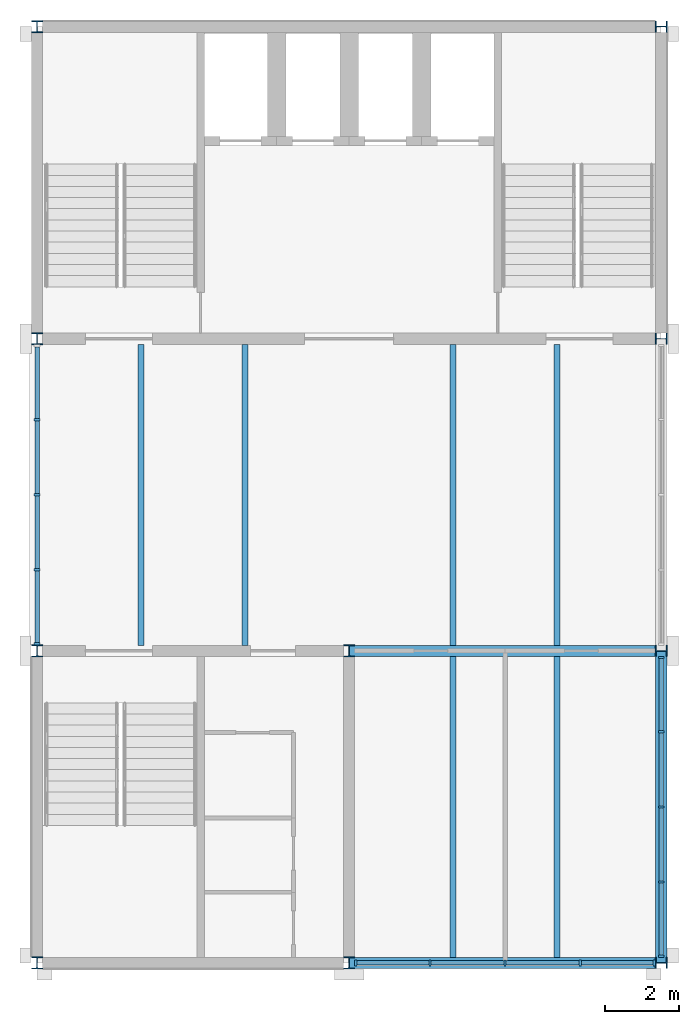
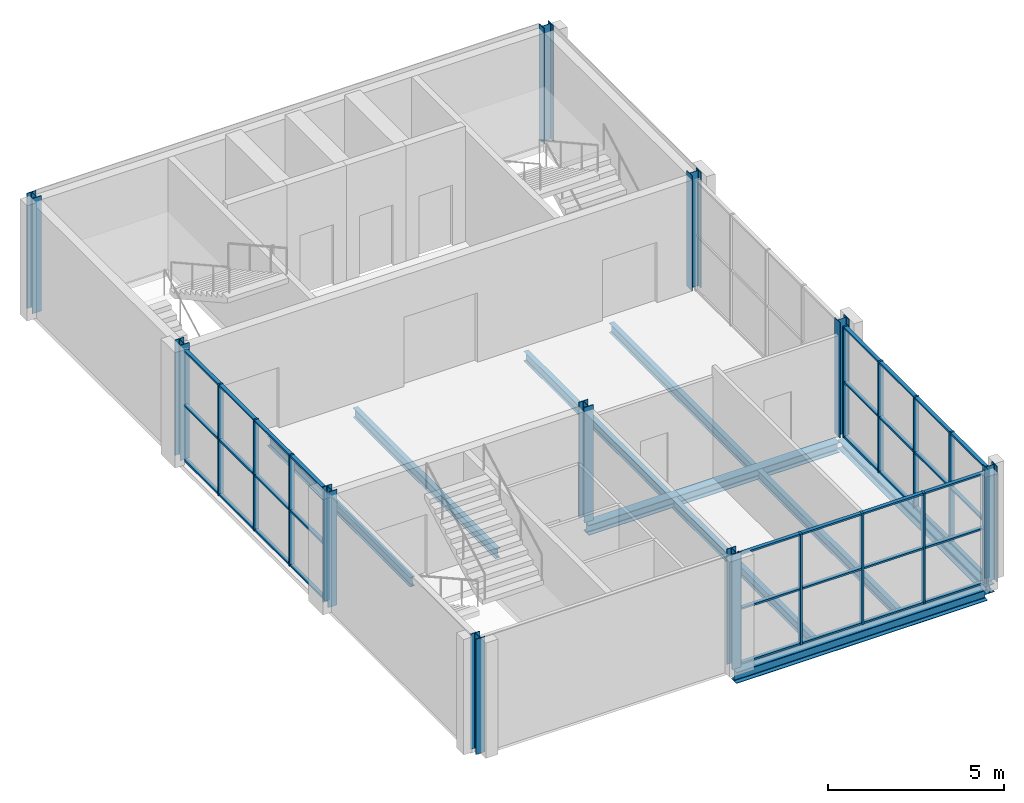
# One storey, part 1 of 5: 50 members, 10 columns, 9 beams, 3 elements without a shape of their own.
"""IFC4 building model written with IfcOpenShell, lengths in metres."""

from ifc_helpers import new_model, si_unit, direction, frame, origin, origin_2d, place, context, subcontext, project, spatial, rectangle, i_section, extrude, material, layer, layer_set, material_profile, profile_set, type_object, element, aggregate, save


model = new_model("IFC4")

# Units and contexts
model_context = context("Model", 3, precision=1e-05, world=origin(), true_north=direction((0.0, 1.0)))
body_context = subcontext(model_context, "Body", "Model", "MODEL_VIEW")
ifc_project = project(units=[si_unit("LENGTHUNIT", "METRE"), si_unit("AREAUNIT", "SQUARE_METRE"), si_unit("VOLUMEUNIT", "CUBIC_METRE"), si_unit("PLANEANGLEUNIT", "RADIAN"), si_unit("MASSUNIT", "GRAM", prefix="KILO")], contexts=[model_context])

# Site, building, storey
site_placement = place(None, origin())
site = spatial("IfcSite", under=ifc_project, at=site_placement, CompositionType="ELEMENT")
building_placement = place(site_placement, origin())
building = spatial("IfcBuilding", under=site, at=building_placement, Name="Galleria Vessillo Department Store", CompositionType="ELEMENT")
storey_placement = place(building_placement, frame((0.0, 0.0, 63.60009765625)))
storey = spatial("IfcBuildingStorey", under=building, at=storey_placement, Name="L14", CompositionType="ELEMENT", Elevation=63.60009765625)

# Columns
ifc_material_1 = material(Name="Steel S355 J2", Category="steel")
ifc_material_profile_1 = material_profile(ifc_material_1, i_section(OverallWidth=0.300048828125, OverallDepth=0.320068359375, WebThickness=0.011474609375, FlangeThickness=0.0205078125, FilletRadius=0.027099609375, at=origin_2d()), Name="HEB 320")
ifc_profile_set_1 = profile_set([ifc_material_profile_1], Name="Steel S355 J2")
column_type = type_object("IfcColumnType", Name="Steel column HEB 320 CT5", PredefinedType="COLUMN", material=ifc_profile_set_1)
for number, where, z_axis, x_axis, name in (
    (1, (100.800048828125, 37.800048828125, 0.0), (0.0, 0.0, 1.0), (1.0, 0.0, 0.0), "S-COL-L14-13-E"),
    (2, (100.800048828125, 46.199951171875, 0.0), (0.0, 0.0, 1.0), (1.0, 0.0, 0.0), "S-COL-L14-13-F"),
    (3, (100.800048828125, 54.60009765625, 0.0), (0.0, 0.0, 1.0), (1.0, 0.0, 0.0), "S-COL-L14-13-G"),
    (4, (100.800048828125, 63.0, 0.0), (0.0, 0.0, 1.0), (1.0, 0.0, 0.0), "S-COL-L14-13-H"),
    (5, (109.199951171875, 37.800048828125, 0.0), (0.0, 0.0, 1.0), (1.0, 0.0, 0.0), "S-COL-L14-14-E"),
    (6, (109.199951171875, 46.199951171875, 0.0), (0.0, 0.0, 1.0), (1.0, 0.0, 0.0), "S-COL-L14-14-F"),
    (7, (117.60009765625, 37.800048828125, 0.0), (0.0, 0.0, 1.0), (0.0, 1.0, 0.0), "S-COL-L14-15-E"),
    (8, (117.60009765625, 46.199951171875, 0.0), (0.0, 0.0, 1.0), (0.0, 1.0, 0.0), "S-COL-L14-15-F"),
    (9, (117.60009765625, 54.60009765625, 0.0), (0.0, 0.0, 1.0), (0.0, 1.0, 0.0), "S-COL-L14-15-G"),
    (10, (117.60009765625, 63.0, 0.0), (0.0, 0.0, 1.0), (0.0, 1.0, 0.0), "S-COL-L14-15-H"),
):
    element("IfcColumn", number, at=place(storey_placement, frame(where, z_axis=z_axis, x_axis=x_axis)), inside=storey, type_object=column_type, Name=name, PredefinedType="COLUMN", context=body_context, shape_type="SweptSolid", body=[
        extrude(i_section(OverallWidth=0.300048828125, OverallDepth=0.320068359375, WebThickness=0.011474609375, FlangeThickness=0.0205078125, FilletRadius=0.027099609375, at=origin_2d()), origin(), (0.0, 0.0, 1.0), 4.0),
    ])

# Curtain wall, members
ifc_material_2 = material(Name="Aluminium and glass curtain wall", Category="aluminium")
ifc_layer = layer(ifc_material_2, 0.159912109375)
ifc_layer_set = layer_set([ifc_layer], Name="Aluminium and glass curtain wall")
curtain_wall_type = type_object("IfcCurtainWallType", Name="Tower curtain wall CW4 2100 module", PredefinedType="NOTDEFINED", material=ifc_layer_set)
curtain_wall_1_placement = place(storey_placement, origin())
curtain_wall_1 = element("IfcCurtainWall", 11, at=curtain_wall_1_placement, inside=storey, type_object=curtain_wall_type, Name="Tower curtain wall CW4 2100 module TW-L14-01", PredefinedType="NOTDEFINED")
ifc_material_3 = material(Name="Aluminium alloy 6063 T6", Category="aluminium")
ifc_material_profile_2 = material_profile(ifc_material_3, rectangle(XDim=0.159912109375, YDim=0.06005859375, at=origin_2d()), Name="AL 60x160")
ifc_profile_set_2 = profile_set([ifc_material_profile_2], Name="Aluminium alloy 6063 T6")
member_type_1 = type_object("IfcMemberType", Name="Aluminium mullion 60 x 160", PredefinedType="MULLION", material=ifc_profile_set_2)
member_1_placement = place(storey_placement, frame((100.800048828125, 46.389892578125, 0.0), z_axis=(0.0, 0.0, 1.0), x_axis=(-1.0, 0.0, 0.0)))
member_1 = element("IfcMember", 12, at=member_1_placement, type_object=member_type_1, Name="CW4 mullion 1", PredefinedType="MULLION", context=body_context, shape_type="SweptSolid", body=[
    extrude(rectangle(XDim=0.159912109375, YDim=0.06005859375, at=origin_2d()), origin(), (0.0, 0.0, 1.0), 3.85009765625),
])
member_2_placement = place(storey_placement, frame((100.800048828125, 48.3798828125, 0.0), z_axis=(0.0, 0.0, 1.0), x_axis=(-1.0, 0.0, 0.0)))
member_2 = element("IfcMember", 13, at=member_2_placement, type_object=member_type_1, Name="CW4 mullion 2", PredefinedType="MULLION", context=body_context, shape_type="SweptSolid", body=[
    extrude(rectangle(XDim=0.159912109375, YDim=0.06005859375, at=origin_2d()), origin(), (0.0, 0.0, 1.0), 3.85009765625),
])
member_3_placement = place(storey_placement, frame((100.800048828125, 50.39990234375, 0.0), z_axis=(0.0, 0.0, 1.0), x_axis=(-1.0, 0.0, 0.0)))
member_3 = element("IfcMember", 14, at=member_3_placement, type_object=member_type_1, Name="CW4 mullion 3", PredefinedType="MULLION", context=body_context, shape_type="SweptSolid", body=[
    extrude(rectangle(XDim=0.159912109375, YDim=0.06005859375, at=origin_2d()), origin(), (0.0, 0.0, 1.0), 3.85009765625),
])
member_4_placement = place(storey_placement, frame((100.800048828125, 52.420166015625, 0.0), z_axis=(0.0, 0.0, 1.0), x_axis=(-1.0, 0.0, 0.0)))
member_4 = element("IfcMember", 15, at=member_4_placement, type_object=member_type_1, Name="CW4 mullion 4", PredefinedType="MULLION", context=body_context, shape_type="SweptSolid", body=[
    extrude(rectangle(XDim=0.159912109375, YDim=0.06005859375, at=origin_2d()), origin(), (0.0, 0.0, 1.0), 3.85009765625),
])

curtain_wall_2_placement = place(storey_placement, origin())
curtain_wall_2 = element("IfcCurtainWall", 16, at=curtain_wall_2_placement, inside=storey, type_object=curtain_wall_type, Name="Tower curtain wall CW4 2100 module TS-L14-01", PredefinedType="NOTDEFINED")
member_5_placement = place(storey_placement, frame((109.3798828125, 37.800048828125, 0.0), z_axis=(0.0, 0.0, 1.0), x_axis=(0.0, 1.0, 0.0)))
member_5 = element("IfcMember", 17, at=member_5_placement, type_object=member_type_1, Name="CW4 mullion 1", PredefinedType="MULLION", context=body_context, shape_type="SweptSolid", body=[
    extrude(rectangle(XDim=0.159912109375, YDim=0.06005859375, at=origin_2d()), origin(), (0.0, 0.0, 1.0), 3.85009765625),
])
member_6_placement = place(storey_placement, frame((111.37255859375, 37.800048828125, 0.0), z_axis=(0.0, 0.0, 1.0), x_axis=(0.0, 1.0, 0.0)))
member_6 = element("IfcMember", 18, at=member_6_placement, type_object=member_type_1, Name="CW4 mullion 2", PredefinedType="MULLION", context=body_context, shape_type="SweptSolid", body=[
    extrude(rectangle(XDim=0.159912109375, YDim=0.06005859375, at=origin_2d()), origin(), (0.0, 0.0, 1.0), 3.85009765625),
])
member_7_placement = place(storey_placement, frame((113.39501953125, 37.800048828125, 0.0), z_axis=(0.0, 0.0, 1.0), x_axis=(0.0, 1.0, 0.0)))
member_7 = element("IfcMember", 19, at=member_7_placement, type_object=member_type_1, Name="CW4 mullion 3", PredefinedType="MULLION", context=body_context, shape_type="SweptSolid", body=[
    extrude(rectangle(XDim=0.159912109375, YDim=0.06005859375, at=origin_2d()), origin(), (0.0, 0.0, 1.0), 3.85009765625),
])
member_8_placement = place(storey_placement, frame((115.41748046875, 37.800048828125, 0.0), z_axis=(0.0, 0.0, 1.0), x_axis=(0.0, 1.0, 0.0)))
member_8 = element("IfcMember", 20, at=member_8_placement, type_object=member_type_1, Name="CW4 mullion 4", PredefinedType="MULLION", context=body_context, shape_type="SweptSolid", body=[
    extrude(rectangle(XDim=0.159912109375, YDim=0.06005859375, at=origin_2d()), origin(), (0.0, 0.0, 1.0), 3.85009765625),
])
member_9_placement = place(storey_placement, frame((117.41015625, 37.800048828125, 0.0), z_axis=(0.0, 0.0, 1.0), x_axis=(0.0, 1.0, 0.0)))
member_9 = element("IfcMember", 21, at=member_9_placement, type_object=member_type_1, Name="CW4 mullion 5", PredefinedType="MULLION", context=body_context, shape_type="SweptSolid", body=[
    extrude(rectangle(XDim=0.159912109375, YDim=0.06005859375, at=origin_2d()), origin(), (0.0, 0.0, 1.0), 3.85009765625),
])

curtain_wall_3_placement = place(storey_placement, origin())
curtain_wall_3 = element("IfcCurtainWall", 22, at=curtain_wall_3_placement, inside=storey, type_object=curtain_wall_type, Name="Tower curtain wall CW4 2100 module TE-L14-01", PredefinedType="NOTDEFINED")
member_10_placement = place(storey_placement, frame((117.60009765625, 37.97998046875, 0.0), z_axis=(0.0, 0.0, 1.0), x_axis=(-1.0, 0.0, 0.0)))
member_10 = element("IfcMember", 23, at=member_10_placement, type_object=member_type_1, Name="CW4 mullion 1", PredefinedType="MULLION", context=body_context, shape_type="SweptSolid", body=[
    extrude(rectangle(XDim=0.159912109375, YDim=0.06005859375, at=origin_2d()), origin(), (0.0, 0.0, 1.0), 3.85009765625),
])
member_11_placement = place(storey_placement, frame((117.60009765625, 39.97509765625, 0.0), z_axis=(0.0, 0.0, 1.0), x_axis=(-1.0, 0.0, 0.0)))
member_11 = element("IfcMember", 24, at=member_11_placement, type_object=member_type_1, Name="CW4 mullion 2", PredefinedType="MULLION", context=body_context, shape_type="SweptSolid", body=[
    extrude(rectangle(XDim=0.159912109375, YDim=0.06005859375, at=origin_2d()), origin(), (0.0, 0.0, 1.0), 3.85009765625),
])
member_12_placement = place(storey_placement, frame((117.60009765625, 42.0, 0.0), z_axis=(0.0, 0.0, 1.0), x_axis=(-1.0, 0.0, 0.0)))
member_12 = element("IfcMember", 25, at=member_12_placement, type_object=member_type_1, Name="CW4 mullion 3", PredefinedType="MULLION", context=body_context, shape_type="SweptSolid", body=[
    extrude(rectangle(XDim=0.159912109375, YDim=0.06005859375, at=origin_2d()), origin(), (0.0, 0.0, 1.0), 3.85009765625),
])
member_13_placement = place(storey_placement, frame((117.60009765625, 44.02490234375, 0.0), z_axis=(0.0, 0.0, 1.0), x_axis=(-1.0, 0.0, 0.0)))
member_13 = element("IfcMember", 26, at=member_13_placement, type_object=member_type_1, Name="CW4 mullion 4", PredefinedType="MULLION", context=body_context, shape_type="SweptSolid", body=[
    extrude(rectangle(XDim=0.159912109375, YDim=0.06005859375, at=origin_2d()), origin(), (0.0, 0.0, 1.0), 3.85009765625),
])
member_14_placement = place(storey_placement, frame((117.60009765625, 46.02001953125, 0.0), z_axis=(0.0, 0.0, 1.0), x_axis=(-1.0, 0.0, 0.0)))
member_14 = element("IfcMember", 27, at=member_14_placement, type_object=member_type_1, Name="CW4 mullion 5", PredefinedType="MULLION", context=body_context, shape_type="SweptSolid", body=[
    extrude(rectangle(XDim=0.159912109375, YDim=0.06005859375, at=origin_2d()), origin(), (0.0, 0.0, 1.0), 3.85009765625),
])

# Member
ifc_material_4 = material(Name="Aluminium alloy 6063 T6", Category="aluminium")
ifc_material_profile_3 = material_profile(ifc_material_4, rectangle(XDim=0.1201171875, YDim=0.06005859375, at=origin_2d()), Name="AL 60x120")
ifc_profile_set_3 = profile_set([ifc_material_profile_3], Name="Aluminium alloy 6063 T6")
member_type_2 = type_object("IfcMemberType", Name="Aluminium transom 60 x 120", PredefinedType="USERDEFINED", material=ifc_profile_set_3)
member_15_placement = place(storey_placement, frame((100.800048828125, 46.419921875, 0.030029296875), z_axis=(0.0, 1.0, 0.0), x_axis=(-1.0, 0.0, 0.0)))
member_15 = element("IfcMember", 28, at=member_15_placement, type_object=member_type_2, Name="CW4 transom 1.1", ObjectType="TRANSOM", PredefinedType="USERDEFINED", context=body_context, shape_type="SweptSolid", body=[
    extrude(rectangle(XDim=0.1201171875, YDim=0.06005859375, at=origin_2d()), origin(), (0.0, 0.0, 1.0), 1.929931640625),
])

member_16_placement = place(storey_placement, frame((100.800048828125, 46.419921875, 1.925048828125), z_axis=(0.0, 1.0, 0.0), x_axis=(-1.0, 0.0, 0.0)))
member_16 = element("IfcMember", 29, at=member_16_placement, type_object=member_type_2, Name="CW4 transom 1.2", ObjectType="TRANSOM", PredefinedType="USERDEFINED", context=body_context, shape_type="SweptSolid", body=[
    extrude(rectangle(XDim=0.1201171875, YDim=0.06005859375, at=origin_2d()), origin(), (0.0, 0.0, 1.0), 1.929931640625),
])

member_17_placement = place(storey_placement, frame((100.800048828125, 46.419921875, 3.820068359375), z_axis=(0.0, 1.0, 0.0), x_axis=(-1.0, 0.0, 0.0)))
member_17 = element("IfcMember", 30, at=member_17_placement, type_object=member_type_2, Name="CW4 transom 1.3", ObjectType="TRANSOM", PredefinedType="USERDEFINED", context=body_context, shape_type="SweptSolid", body=[
    extrude(rectangle(XDim=0.1201171875, YDim=0.06005859375, at=origin_2d()), origin(), (0.0, 0.0, 1.0), 1.929931640625),
])

member_18_placement = place(storey_placement, frame((100.800048828125, 48.409912109375, 0.030029296875), z_axis=(0.0, 1.0, 0.0), x_axis=(-1.0, 0.0, 0.0)))
member_18 = element("IfcMember", 31, at=member_18_placement, type_object=member_type_2, Name="CW4 transom 2.1", ObjectType="TRANSOM", PredefinedType="USERDEFINED", context=body_context, shape_type="SweptSolid", body=[
    extrude(rectangle(XDim=0.1201171875, YDim=0.06005859375, at=origin_2d()), origin(), (0.0, 0.0, 1.0), 1.960205078125),
])

member_19_placement = place(storey_placement, frame((100.800048828125, 48.409912109375, 1.925048828125), z_axis=(0.0, 1.0, 0.0), x_axis=(-1.0, 0.0, 0.0)))
member_19 = element("IfcMember", 32, at=member_19_placement, type_object=member_type_2, Name="CW4 transom 2.2", ObjectType="TRANSOM", PredefinedType="USERDEFINED", context=body_context, shape_type="SweptSolid", body=[
    extrude(rectangle(XDim=0.1201171875, YDim=0.06005859375, at=origin_2d()), origin(), (0.0, 0.0, 1.0), 1.960205078125),
])

member_20_placement = place(storey_placement, frame((100.800048828125, 48.409912109375, 3.820068359375), z_axis=(0.0, 1.0, 0.0), x_axis=(-1.0, 0.0, 0.0)))
member_20 = element("IfcMember", 33, at=member_20_placement, type_object=member_type_2, Name="CW4 transom 2.3", ObjectType="TRANSOM", PredefinedType="USERDEFINED", context=body_context, shape_type="SweptSolid", body=[
    extrude(rectangle(XDim=0.1201171875, YDim=0.06005859375, at=origin_2d()), origin(), (0.0, 0.0, 1.0), 1.960205078125),
])

member_21_placement = place(storey_placement, frame((100.800048828125, 50.429931640625, 0.030029296875), z_axis=(0.0, 1.0, 0.0), x_axis=(-1.0, 0.0, 0.0)))
member_21 = element("IfcMember", 34, at=member_21_placement, type_object=member_type_2, Name="CW4 transom 3.1", ObjectType="TRANSOM", PredefinedType="USERDEFINED", context=body_context, shape_type="SweptSolid", body=[
    extrude(rectangle(XDim=0.1201171875, YDim=0.06005859375, at=origin_2d()), origin(), (0.0, 0.0, 1.0), 1.960205078125),
])

member_22_placement = place(storey_placement, frame((100.800048828125, 50.429931640625, 1.925048828125), z_axis=(0.0, 1.0, 0.0), x_axis=(-1.0, 0.0, 0.0)))
member_22 = element("IfcMember", 35, at=member_22_placement, type_object=member_type_2, Name="CW4 transom 3.2", ObjectType="TRANSOM", PredefinedType="USERDEFINED", context=body_context, shape_type="SweptSolid", body=[
    extrude(rectangle(XDim=0.1201171875, YDim=0.06005859375, at=origin_2d()), origin(), (0.0, 0.0, 1.0), 1.960205078125),
])

member_23_placement = place(storey_placement, frame((100.800048828125, 50.429931640625, 3.820068359375), z_axis=(0.0, 1.0, 0.0), x_axis=(-1.0, 0.0, 0.0)))
member_23 = element("IfcMember", 36, at=member_23_placement, type_object=member_type_2, Name="CW4 transom 3.3", ObjectType="TRANSOM", PredefinedType="USERDEFINED", context=body_context, shape_type="SweptSolid", body=[
    extrude(rectangle(XDim=0.1201171875, YDim=0.06005859375, at=origin_2d()), origin(), (0.0, 0.0, 1.0), 1.960205078125),
])

member_24_placement = place(storey_placement, frame((100.800048828125, 52.4501953125, 0.030029296875), z_axis=(0.0, 1.0, 0.0), x_axis=(-1.0, 0.0, 0.0)))
member_24 = element("IfcMember", 37, at=member_24_placement, type_object=member_type_2, Name="CW4 transom 4.1", ObjectType="TRANSOM", PredefinedType="USERDEFINED", context=body_context, shape_type="SweptSolid", body=[
    extrude(rectangle(XDim=0.1201171875, YDim=0.06005859375, at=origin_2d()), origin(), (0.0, 0.0, 1.0), 1.929931640625),
])

member_25_placement = place(storey_placement, frame((100.800048828125, 52.4501953125, 1.925048828125), z_axis=(0.0, 1.0, 0.0), x_axis=(-1.0, 0.0, 0.0)))
member_25 = element("IfcMember", 38, at=member_25_placement, type_object=member_type_2, Name="CW4 transom 4.2", ObjectType="TRANSOM", PredefinedType="USERDEFINED", context=body_context, shape_type="SweptSolid", body=[
    extrude(rectangle(XDim=0.1201171875, YDim=0.06005859375, at=origin_2d()), origin(), (0.0, 0.0, 1.0), 1.929931640625),
])

member_26_placement = place(storey_placement, frame((100.800048828125, 52.4501953125, 3.820068359375), z_axis=(0.0, 1.0, 0.0), x_axis=(-1.0, 0.0, 0.0)))
member_26 = element("IfcMember", 39, at=member_26_placement, type_object=member_type_2, Name="CW4 transom 4.3", ObjectType="TRANSOM", PredefinedType="USERDEFINED", context=body_context, shape_type="SweptSolid", body=[
    extrude(rectangle(XDim=0.1201171875, YDim=0.06005859375, at=origin_2d()), origin(), (0.0, 0.0, 1.0), 1.929931640625),
])

aggregate(curtain_wall_1, [member_1, member_2, member_3, member_4, member_15, member_16, member_17, member_18, member_19, member_20, member_21, member_22, member_23, member_24, member_25, member_26])

member_27_placement = place(storey_placement, frame((109.409912109375, 37.800048828125, 0.030029296875), z_axis=(1.0, 0.0, 0.0), x_axis=(0.0, 1.0, 0.0)))
member_27 = element("IfcMember", 40, at=member_27_placement, type_object=member_type_2, Name="CW4 transom 1.1", ObjectType="TRANSOM", PredefinedType="USERDEFINED", context=body_context, shape_type="SweptSolid", body=[
    extrude(rectangle(XDim=0.1201171875, YDim=0.06005859375, at=origin_2d()), origin(), (0.0, 0.0, 1.0), 1.9326171875),
])

member_28_placement = place(storey_placement, frame((109.409912109375, 37.800048828125, 1.925048828125), z_axis=(1.0, 0.0, 0.0), x_axis=(0.0, 1.0, 0.0)))
member_28 = element("IfcMember", 41, at=member_28_placement, type_object=member_type_2, Name="CW4 transom 1.2", ObjectType="TRANSOM", PredefinedType="USERDEFINED", context=body_context, shape_type="SweptSolid", body=[
    extrude(rectangle(XDim=0.1201171875, YDim=0.06005859375, at=origin_2d()), origin(), (0.0, 0.0, 1.0), 1.9326171875),
])

member_29_placement = place(storey_placement, frame((109.409912109375, 37.800048828125, 3.820068359375), z_axis=(1.0, 0.0, 0.0), x_axis=(0.0, 1.0, 0.0)))
member_29 = element("IfcMember", 42, at=member_29_placement, type_object=member_type_2, Name="CW4 transom 1.3", ObjectType="TRANSOM", PredefinedType="USERDEFINED", context=body_context, shape_type="SweptSolid", body=[
    extrude(rectangle(XDim=0.1201171875, YDim=0.06005859375, at=origin_2d()), origin(), (0.0, 0.0, 1.0), 1.9326171875),
])

member_30_placement = place(storey_placement, frame((111.40234375, 37.800048828125, 0.030029296875), z_axis=(1.0, 0.0, 0.0), x_axis=(0.0, 1.0, 0.0)))
member_30 = element("IfcMember", 43, at=member_30_placement, type_object=member_type_2, Name="CW4 transom 2.1", ObjectType="TRANSOM", PredefinedType="USERDEFINED", context=body_context, shape_type="SweptSolid", body=[
    extrude(rectangle(XDim=0.1201171875, YDim=0.06005859375, at=origin_2d()), origin(), (0.0, 0.0, 1.0), 1.962646484375),
])

member_31_placement = place(storey_placement, frame((111.40234375, 37.800048828125, 1.925048828125), z_axis=(1.0, 0.0, 0.0), x_axis=(0.0, 1.0, 0.0)))
member_31 = element("IfcMember", 44, at=member_31_placement, type_object=member_type_2, Name="CW4 transom 2.2", ObjectType="TRANSOM", PredefinedType="USERDEFINED", context=body_context, shape_type="SweptSolid", body=[
    extrude(rectangle(XDim=0.1201171875, YDim=0.06005859375, at=origin_2d()), origin(), (0.0, 0.0, 1.0), 1.962646484375),
])

member_32_placement = place(storey_placement, frame((111.40234375, 37.800048828125, 3.820068359375), z_axis=(1.0, 0.0, 0.0), x_axis=(0.0, 1.0, 0.0)))
member_32 = element("IfcMember", 45, at=member_32_placement, type_object=member_type_2, Name="CW4 transom 2.3", ObjectType="TRANSOM", PredefinedType="USERDEFINED", context=body_context, shape_type="SweptSolid", body=[
    extrude(rectangle(XDim=0.1201171875, YDim=0.06005859375, at=origin_2d()), origin(), (0.0, 0.0, 1.0), 1.962646484375),
])

member_33_placement = place(storey_placement, frame((113.425048828125, 37.800048828125, 0.030029296875), z_axis=(1.0, 0.0, 0.0), x_axis=(0.0, 1.0, 0.0)))
member_33 = element("IfcMember", 46, at=member_33_placement, type_object=member_type_2, Name="CW4 transom 3.1", ObjectType="TRANSOM", PredefinedType="USERDEFINED", context=body_context, shape_type="SweptSolid", body=[
    extrude(rectangle(XDim=0.1201171875, YDim=0.06005859375, at=origin_2d()), origin(), (0.0, 0.0, 1.0), 1.962646484375),
])

member_34_placement = place(storey_placement, frame((113.425048828125, 37.800048828125, 1.925048828125), z_axis=(1.0, 0.0, 0.0), x_axis=(0.0, 1.0, 0.0)))
member_34 = element("IfcMember", 47, at=member_34_placement, type_object=member_type_2, Name="CW4 transom 3.2", ObjectType="TRANSOM", PredefinedType="USERDEFINED", context=body_context, shape_type="SweptSolid", body=[
    extrude(rectangle(XDim=0.1201171875, YDim=0.06005859375, at=origin_2d()), origin(), (0.0, 0.0, 1.0), 1.962646484375),
])

member_35_placement = place(storey_placement, frame((113.425048828125, 37.800048828125, 3.820068359375), z_axis=(1.0, 0.0, 0.0), x_axis=(0.0, 1.0, 0.0)))
member_35 = element("IfcMember", 48, at=member_35_placement, type_object=member_type_2, Name="CW4 transom 3.3", ObjectType="TRANSOM", PredefinedType="USERDEFINED", context=body_context, shape_type="SweptSolid", body=[
    extrude(rectangle(XDim=0.1201171875, YDim=0.06005859375, at=origin_2d()), origin(), (0.0, 0.0, 1.0), 1.962646484375),
])

member_36_placement = place(storey_placement, frame((115.447509765625, 37.800048828125, 0.030029296875), z_axis=(1.0, 0.0, 0.0), x_axis=(0.0, 1.0, 0.0)))
member_36 = element("IfcMember", 49, at=member_36_placement, type_object=member_type_2, Name="CW4 transom 4.1", ObjectType="TRANSOM", PredefinedType="USERDEFINED", context=body_context, shape_type="SweptSolid", body=[
    extrude(rectangle(XDim=0.1201171875, YDim=0.06005859375, at=origin_2d()), origin(), (0.0, 0.0, 1.0), 1.9326171875),
])

member_37_placement = place(storey_placement, frame((115.447509765625, 37.800048828125, 1.925048828125), z_axis=(1.0, 0.0, 0.0), x_axis=(0.0, 1.0, 0.0)))
member_37 = element("IfcMember", 50, at=member_37_placement, type_object=member_type_2, Name="CW4 transom 4.2", ObjectType="TRANSOM", PredefinedType="USERDEFINED", context=body_context, shape_type="SweptSolid", body=[
    extrude(rectangle(XDim=0.1201171875, YDim=0.06005859375, at=origin_2d()), origin(), (0.0, 0.0, 1.0), 1.9326171875),
])

member_38_placement = place(storey_placement, frame((115.447509765625, 37.800048828125, 3.820068359375), z_axis=(1.0, 0.0, 0.0), x_axis=(0.0, 1.0, 0.0)))
member_38 = element("IfcMember", 51, at=member_38_placement, type_object=member_type_2, Name="CW4 transom 4.3", ObjectType="TRANSOM", PredefinedType="USERDEFINED", context=body_context, shape_type="SweptSolid", body=[
    extrude(rectangle(XDim=0.1201171875, YDim=0.06005859375, at=origin_2d()), origin(), (0.0, 0.0, 1.0), 1.9326171875),
])

aggregate(curtain_wall_2, [member_5, member_6, member_7, member_8, member_9, member_27, member_28, member_29, member_30, member_31, member_32, member_33, member_34, member_35, member_36, member_37, member_38])

member_39_placement = place(storey_placement, frame((117.60009765625, 38.010009765625, 0.030029296875), z_axis=(0.0, 1.0, 0.0), x_axis=(-1.0, 0.0, 0.0)))
member_39 = element("IfcMember", 52, at=member_39_placement, type_object=member_type_2, Name="CW4 transom 1.1", ObjectType="TRANSOM", PredefinedType="USERDEFINED", context=body_context, shape_type="SweptSolid", body=[
    extrude(rectangle(XDim=0.1201171875, YDim=0.06005859375, at=origin_2d()), origin(), (0.0, 0.0, 1.0), 1.93505859375),
])

member_40_placement = place(storey_placement, frame((117.60009765625, 38.010009765625, 1.925048828125), z_axis=(0.0, 1.0, 0.0), x_axis=(-1.0, 0.0, 0.0)))
member_40 = element("IfcMember", 53, at=member_40_placement, type_object=member_type_2, Name="CW4 transom 1.2", ObjectType="TRANSOM", PredefinedType="USERDEFINED", context=body_context, shape_type="SweptSolid", body=[
    extrude(rectangle(XDim=0.1201171875, YDim=0.06005859375, at=origin_2d()), origin(), (0.0, 0.0, 1.0), 1.93505859375),
])

member_41_placement = place(storey_placement, frame((117.60009765625, 38.010009765625, 3.820068359375), z_axis=(0.0, 1.0, 0.0), x_axis=(-1.0, 0.0, 0.0)))
member_41 = element("IfcMember", 54, at=member_41_placement, type_object=member_type_2, Name="CW4 transom 1.3", ObjectType="TRANSOM", PredefinedType="USERDEFINED", context=body_context, shape_type="SweptSolid", body=[
    extrude(rectangle(XDim=0.1201171875, YDim=0.06005859375, at=origin_2d()), origin(), (0.0, 0.0, 1.0), 1.93505859375),
])

member_42_placement = place(storey_placement, frame((117.60009765625, 40.0048828125, 0.030029296875), z_axis=(0.0, 1.0, 0.0), x_axis=(-1.0, 0.0, 0.0)))
member_42 = element("IfcMember", 55, at=member_42_placement, type_object=member_type_2, Name="CW4 transom 2.1", ObjectType="TRANSOM", PredefinedType="USERDEFINED", context=body_context, shape_type="SweptSolid", body=[
    extrude(rectangle(XDim=0.1201171875, YDim=0.06005859375, at=origin_2d()), origin(), (0.0, 0.0, 1.0), 1.965087890625),
])

member_43_placement = place(storey_placement, frame((117.60009765625, 40.0048828125, 1.925048828125), z_axis=(0.0, 1.0, 0.0), x_axis=(-1.0, 0.0, 0.0)))
member_43 = element("IfcMember", 56, at=member_43_placement, type_object=member_type_2, Name="CW4 transom 2.2", ObjectType="TRANSOM", PredefinedType="USERDEFINED", context=body_context, shape_type="SweptSolid", body=[
    extrude(rectangle(XDim=0.1201171875, YDim=0.06005859375, at=origin_2d()), origin(), (0.0, 0.0, 1.0), 1.965087890625),
])

member_44_placement = place(storey_placement, frame((117.60009765625, 40.0048828125, 3.820068359375), z_axis=(0.0, 1.0, 0.0), x_axis=(-1.0, 0.0, 0.0)))
member_44 = element("IfcMember", 57, at=member_44_placement, type_object=member_type_2, Name="CW4 transom 2.3", ObjectType="TRANSOM", PredefinedType="USERDEFINED", context=body_context, shape_type="SweptSolid", body=[
    extrude(rectangle(XDim=0.1201171875, YDim=0.06005859375, at=origin_2d()), origin(), (0.0, 0.0, 1.0), 1.965087890625),
])

member_45_placement = place(storey_placement, frame((117.60009765625, 42.030029296875, 0.030029296875), z_axis=(0.0, 1.0, 0.0), x_axis=(-1.0, 0.0, 0.0)))
member_45 = element("IfcMember", 58, at=member_45_placement, type_object=member_type_2, Name="CW4 transom 3.1", ObjectType="TRANSOM", PredefinedType="USERDEFINED", context=body_context, shape_type="SweptSolid", body=[
    extrude(rectangle(XDim=0.1201171875, YDim=0.06005859375, at=origin_2d()), origin(), (0.0, 0.0, 1.0), 1.965087890625),
])

member_46_placement = place(storey_placement, frame((117.60009765625, 42.030029296875, 1.925048828125), z_axis=(0.0, 1.0, 0.0), x_axis=(-1.0, 0.0, 0.0)))
member_46 = element("IfcMember", 59, at=member_46_placement, type_object=member_type_2, Name="CW4 transom 3.2", ObjectType="TRANSOM", PredefinedType="USERDEFINED", context=body_context, shape_type="SweptSolid", body=[
    extrude(rectangle(XDim=0.1201171875, YDim=0.06005859375, at=origin_2d()), origin(), (0.0, 0.0, 1.0), 1.965087890625),
])

member_47_placement = place(storey_placement, frame((117.60009765625, 42.030029296875, 3.820068359375), z_axis=(0.0, 1.0, 0.0), x_axis=(-1.0, 0.0, 0.0)))
member_47 = element("IfcMember", 60, at=member_47_placement, type_object=member_type_2, Name="CW4 transom 3.3", ObjectType="TRANSOM", PredefinedType="USERDEFINED", context=body_context, shape_type="SweptSolid", body=[
    extrude(rectangle(XDim=0.1201171875, YDim=0.06005859375, at=origin_2d()), origin(), (0.0, 0.0, 1.0), 1.965087890625),
])

member_48_placement = place(storey_placement, frame((117.60009765625, 44.054931640625, 0.030029296875), z_axis=(0.0, 1.0, 0.0), x_axis=(-1.0, 0.0, 0.0)))
member_48 = element("IfcMember", 61, at=member_48_placement, type_object=member_type_2, Name="CW4 transom 4.1", ObjectType="TRANSOM", PredefinedType="USERDEFINED", context=body_context, shape_type="SweptSolid", body=[
    extrude(rectangle(XDim=0.1201171875, YDim=0.06005859375, at=origin_2d()), origin(), (0.0, 0.0, 1.0), 1.93505859375),
])

member_49_placement = place(storey_placement, frame((117.60009765625, 44.054931640625, 1.925048828125), z_axis=(0.0, 1.0, 0.0), x_axis=(-1.0, 0.0, 0.0)))
member_49 = element("IfcMember", 62, at=member_49_placement, type_object=member_type_2, Name="CW4 transom 4.2", ObjectType="TRANSOM", PredefinedType="USERDEFINED", context=body_context, shape_type="SweptSolid", body=[
    extrude(rectangle(XDim=0.1201171875, YDim=0.06005859375, at=origin_2d()), origin(), (0.0, 0.0, 1.0), 1.93505859375),
])

member_50_placement = place(storey_placement, frame((117.60009765625, 44.054931640625, 3.820068359375), z_axis=(0.0, 1.0, 0.0), x_axis=(-1.0, 0.0, 0.0)))
member_50 = element("IfcMember", 63, at=member_50_placement, type_object=member_type_2, Name="CW4 transom 4.3", ObjectType="TRANSOM", PredefinedType="USERDEFINED", context=body_context, shape_type="SweptSolid", body=[
    extrude(rectangle(XDim=0.1201171875, YDim=0.06005859375, at=origin_2d()), origin(), (0.0, 0.0, 1.0), 1.93505859375),
])

aggregate(curtain_wall_3, [member_10, member_11, member_12, member_13, member_14, member_39, member_40, member_41, member_42, member_43, member_44, member_45, member_46, member_47, member_48, member_49, member_50])

# Beams
ifc_material_5 = material(Name="Steel S355 J2", Category="steel")
ifc_material_profile_4 = material_profile(ifc_material_5, i_section(OverallWidth=0.300048828125, OverallDepth=0.35009765625, WebThickness=0.010009765625, FlangeThickness=0.017578125, FilletRadius=0.027099609375, at=origin_2d()), Name="HEA 360")
ifc_profile_set_4 = profile_set([ifc_material_profile_4], Name="Steel S355 J2")
beam_type_1 = type_object("IfcBeamType", Name="Floor girder HEA 360", PredefinedType="BEAM", material=ifc_profile_set_4)
beam_1_placement = place(storey_placement, frame((109.205810546875, 46.199951171875, -0.324951171875), z_axis=(1.0, 0.0, 0.0), x_axis=(0.0, 1.0, 0.0)))
element("IfcBeam", 64, at=beam_1_placement, inside=storey, type_object=beam_type_1, Name="S-BM-L14-GI-x46200-109206", PredefinedType="BEAM", context=body_context, shape_type="SweptSolid", body=[
    extrude(i_section(OverallWidth=0.300048828125, OverallDepth=0.35009765625, WebThickness=0.010009765625, FlangeThickness=0.017578125, FilletRadius=0.027099609375, at=origin_2d()), origin(), (0.0, 0.0, 1.0), 8.234130859375),
])
ifc_material_6 = material(Name="Steel S355 J2", Category="steel")
ifc_material_profile_5 = material_profile(ifc_material_6, i_section(OverallWidth=0.159912109375, OverallDepth=0.330078125, WebThickness=0.007568359375, FlangeThickness=0.011474609375, FilletRadius=0.01806640625, at=origin_2d()), Name="IPE 330")
ifc_profile_set_5 = profile_set([ifc_material_profile_5], Name="Steel S355 J2")
beam_type_2 = type_object("IfcBeamType", Name="Floor joist IPE 330", PredefinedType="JOIST", material=ifc_profile_set_5)
for number, where, z_axis, x_axis, name in (
    (65, (103.60009765625, 46.35009765625, -0.31494140625), (0.0, 1.0, 0.0), (-1.0, 0.0, 0.0), "S-BM-L14-JO-y103600-46350"),
    (66, (106.39990234375, 46.35009765625, -0.31494140625), (0.0, 1.0, 0.0), (-1.0, 0.0, 0.0), "S-BM-L14-JO-y106400-46350"),
):
    element("IfcBeam", number, at=place(storey_placement, frame(where, z_axis=z_axis, x_axis=x_axis)), inside=storey, type_object=beam_type_2, Name=name, PredefinedType="JOIST", context=body_context, shape_type="SweptSolid", body=[
        extrude(i_section(OverallWidth=0.159912109375, OverallDepth=0.330078125, WebThickness=0.007568359375, FlangeThickness=0.011474609375, FilletRadius=0.01806640625, at=origin_2d()), origin(), (0.0, 0.0, 1.0), 8.099853515625),
    ])
for number, where, z_axis, x_axis, name in (
    (67, (112.0, 37.9501953125, -0.31494140625), (0.0, 1.0, 0.0), (-1.0, 0.0, 0.0), "S-BM-L14-JO-y112000-37950"),
    (68, (114.800048828125, 37.9501953125, -0.31494140625), (0.0, 1.0, 0.0), (-1.0, 0.0, 0.0), "S-BM-L14-JO-y114800-37950"),
):
    element("IfcBeam", number, at=place(storey_placement, frame(where, z_axis=z_axis, x_axis=x_axis)), inside=storey, type_object=beam_type_2, Name=name, PredefinedType="JOIST", context=body_context, shape_type="SweptSolid", body=[
        extrude(i_section(OverallWidth=0.159912109375, OverallDepth=0.330078125, WebThickness=0.007568359375, FlangeThickness=0.011474609375, FilletRadius=0.01806640625, at=origin_2d()), origin(), (0.0, 0.0, 1.0), 8.099609375),
    ])
for number, where, z_axis, x_axis, name in (
    (69, (112.0, 46.35009765625, -0.31494140625), (0.0, 1.0, 0.0), (-1.0, 0.0, 0.0), "S-BM-L14-JO-y112000-46350"),
    (70, (114.800048828125, 46.35009765625, -0.31494140625), (0.0, 1.0, 0.0), (-1.0, 0.0, 0.0), "S-BM-L14-JO-y114800-46350"),
):
    element("IfcBeam", number, at=place(storey_placement, frame(where, z_axis=z_axis, x_axis=x_axis)), inside=storey, type_object=beam_type_2, Name=name, PredefinedType="JOIST", context=body_context, shape_type="SweptSolid", body=[
        extrude(i_section(OverallWidth=0.159912109375, OverallDepth=0.330078125, WebThickness=0.007568359375, FlangeThickness=0.011474609375, FilletRadius=0.01806640625, at=origin_2d()), origin(), (0.0, 0.0, 1.0), 8.099853515625),
    ])
ifc_material_7 = material(Name="Steel S355 J2", Category="steel")
ifc_material_profile_6 = material_profile(ifc_material_7, i_section(OverallWidth=0.300048828125, OverallDepth=0.2900390625, WebThickness=0.008544921875, FlangeThickness=0.013916015625, FilletRadius=0.027099609375, at=origin_2d()), Name="HEA 300")
ifc_profile_set_6 = profile_set([ifc_material_profile_6], Name="Steel S355 J2")
beam_type_3 = type_object("IfcBeamType", Name="Spandrel beam HEA 300", PredefinedType="SPANDREL", material=ifc_profile_set_6)
beam_2_placement = place(storey_placement, frame((117.60009765625, 37.805908203125, -0.294921875), z_axis=(0.0, 1.0, 0.0), x_axis=(-1.0, 0.0, 0.0)))
element("IfcBeam", 71, at=beam_2_placement, inside=storey, type_object=beam_type_3, Name="S-BM-L14-SP-y117600-37806", PredefinedType="SPANDREL", context=body_context, shape_type="SweptSolid", body=[
    extrude(i_section(OverallWidth=0.300048828125, OverallDepth=0.2900390625, WebThickness=0.008544921875, FlangeThickness=0.013916015625, FilletRadius=0.027099609375, at=origin_2d()), origin(), (0.0, 0.0, 1.0), 8.38818359375),
])
ifc_material_8 = material(Name="Steel S355 J2", Category="steel")
ifc_material_profile_7 = material_profile(ifc_material_8, i_section(OverallWidth=0.300048828125, OverallDepth=0.389892578125, WebThickness=0.010986328125, FlangeThickness=0.01904296875, FilletRadius=0.027099609375, at=origin_2d()), Name="HEA 400")
ifc_profile_set_7 = profile_set([ifc_material_profile_7], Name="Steel S355 J2")
beam_type_4 = type_object("IfcBeamType", Name="Trimmer beam HEA 400", PredefinedType="BEAM", material=ifc_profile_set_7)
beam_3_placement = place(storey_placement, frame((109.205810546875, 37.800048828125, -0.344970703125), z_axis=(1.0, 0.0, 0.0), x_axis=(0.0, 1.0, 0.0)))
element("IfcBeam", 72, at=beam_3_placement, inside=storey, type_object=beam_type_4, Name="S-BM-L14-TR-x37800-109206", PredefinedType="BEAM", context=body_context, shape_type="SweptSolid", body=[
    extrude(i_section(OverallWidth=0.300048828125, OverallDepth=0.389892578125, WebThickness=0.010986328125, FlangeThickness=0.01904296875, FilletRadius=0.027099609375, at=origin_2d()), origin(), (0.0, 0.0, 1.0), 8.234130859375),
])

save(model, "model.ifc")
